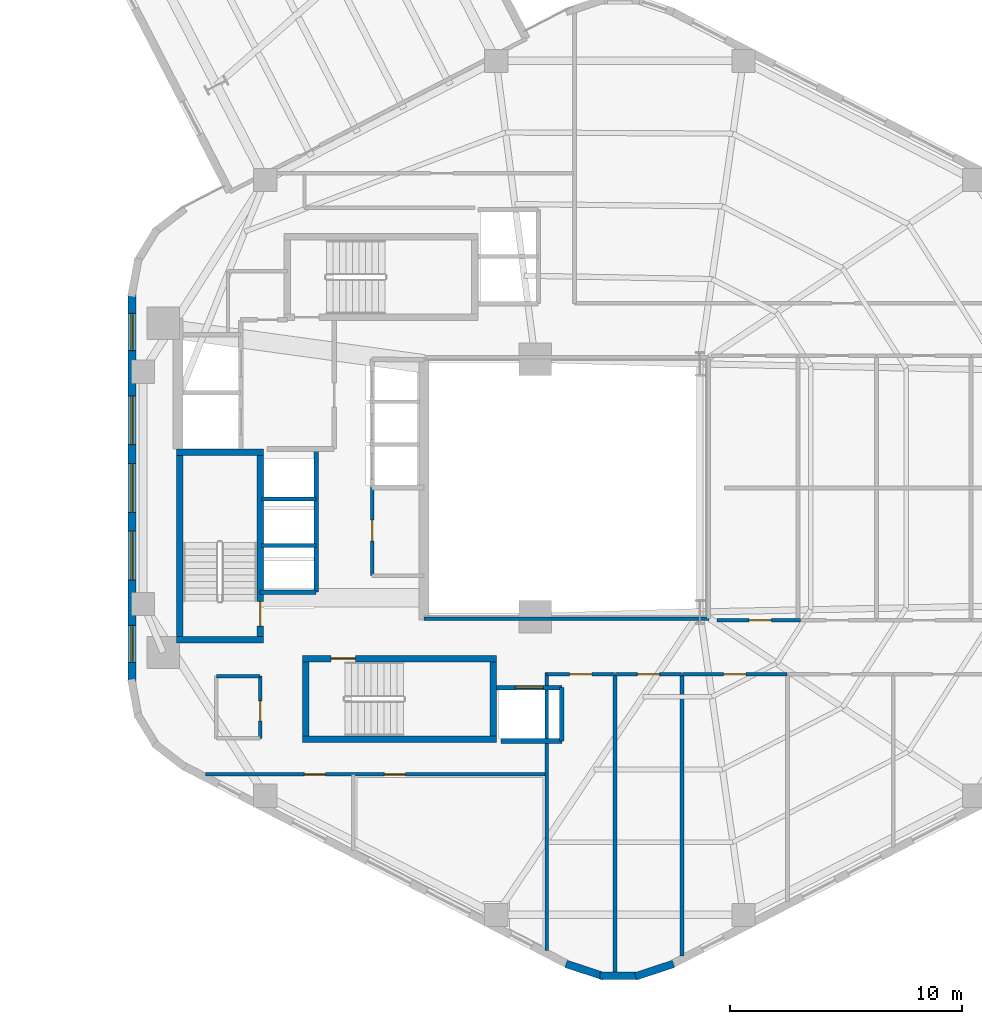
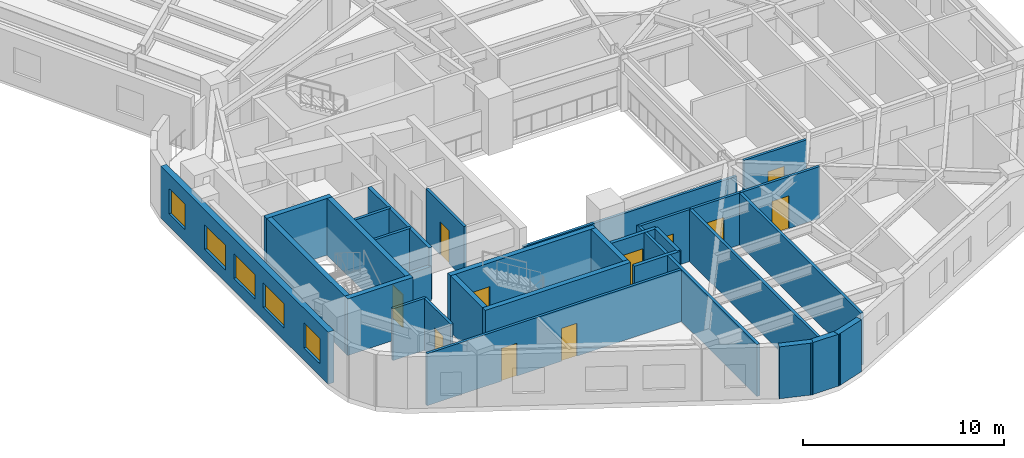
# One storey, part 6 of 10: 31 walls, 11 doors, 5 windows, 16 openings.
"""IFC4 building model written with IfcOpenShell, lengths in metres."""

from ifc_helpers import new_model, si_unit, direction, frame, frame_2d, origin, place, context, subcontext, project, spatial, rectangle, extrude, material, layer, layer_set, type_object, element, fill, save


model = new_model("IFC4")

# Units and contexts
model_context = context("Model", 3, precision=1e-05, world=origin(), true_north=direction((0.0, 1.0)))
body_context = subcontext(model_context, "Body", "Model", "MODEL_VIEW")
ifc_project = project(units=[si_unit("LENGTHUNIT", "METRE"), si_unit("AREAUNIT", "SQUARE_METRE"), si_unit("VOLUMEUNIT", "CUBIC_METRE"), si_unit("PLANEANGLEUNIT", "RADIAN"), si_unit("MASSUNIT", "GRAM", prefix="KILO"), si_unit("THERMODYNAMICTEMPERATUREUNIT", "KELVIN"), si_unit("POWERUNIT", "WATT")], contexts=[model_context])

# Site, building, storey
site_placement = place(None, origin())
site = spatial("IfcSite", under=ifc_project, at=site_placement, CompositionType="ELEMENT")
building_placement = place(site_placement, origin())
building = spatial("IfcBuilding", under=site, at=building_placement, Name="Skarre Station Tower", CompositionType="ELEMENT")
storey_placement = place(building_placement, frame((0.0, 0.0, 142.949951171875)))
storey = spatial("IfcBuildingStorey", under=building, at=storey_placement, Name="L38", CompositionType="ELEMENT", Elevation=142.949951171875)

# Wall, opening, door
ifc_material_1 = material(Name="Acoustic Steel-Stud Gypsum Partition", Category="steel")
ifc_layer_1 = layer(ifc_material_1, 0.14990234375, Name="Acoustic Steel-Stud Gypsum Partition")
ifc_layer_set_1 = layer_set([ifc_layer_1], Name="Acoustic Steel-Stud Gypsum Partition")
wall_type_1 = type_object("IfcWallType", Name="Fire-Rated Corridor Acoustic Partition 150", PredefinedType="PARTITIONING", material=ifc_layer_set_1)
wall_1_placement = place(storey_placement, frame((25.320068359375, 24.02001953125, 0.0), z_axis=(0.0, 0.0, 1.0), x_axis=(0.0, -1.0, 0.0)))
wall_1 = element("IfcWall", 1, at=wall_1_placement, inside=storey, type_object=wall_type_1, Name="L38 Interior Partition WL-PT-L38-RC1-W", PredefinedType="PARTITIONING", context=body_context, shape_type="SweptSolid", body=[
    extrude(rectangle(XDim=3.800048828125, YDim=0.14990234375, at=frame_2d((1.89990234375, 0.0))), origin(), (0.0, 0.0, 1.0), 3.16015625),
])
opening_1_placement = place(wall_1_placement, frame((1.39990234375, 0.0, 0.0)))
opening_1 = element("IfcOpeningElement", 2, at=opening_1_placement, cuts=wall_1, Name="Opening DR-SVC90", PredefinedType="OPENING", context=body_context, shape_type="SweptSolid", body=[
    extrude(rectangle(XDim=0.89990234375, YDim=2.0, at=frame_2d((0.449951171875, 1.0))), frame((0.0, 0.0849609375, 0.0), z_axis=(0.0, -1.0, 0.0), x_axis=(1.0, 0.0, 0.0)), (0.0, 0.0, 1.0), 0.169921875),
])
ifc_material_2 = material(Name="Powder-Coated Hollow-Metal Acoustic Fire Leaf", Category="steel")
door_type_1 = type_object("IfcDoorType", Name="Service & Riser Fire Door FD60 900x2100", OperationType="SINGLE_SWING_LEFT", PredefinedType="DOOR", material=ifc_material_2)
door_1_placement = place(opening_1_placement, origin())
door_1 = element("IfcDoor", 3, at=door_1_placement, inside=storey, type_object=door_type_1, Name="L38 Housekeeping Room Door", OperationType="SINGLE_SWING_LEFT", OverallHeight=2.0, OverallWidth=0.89990234375, PredefinedType="DOOR", context=body_context, shape_type="SweptSolid", body=[
    extrude(rectangle(XDim=0.89990234375, YDim=2.0, at=frame_2d((0.449951171875, 1.0))), frame((0.0, 0.02490234375, 0.0), z_axis=(0.0, -1.0, 0.0), x_axis=(1.0, 0.0, 0.0)), (0.0, 0.0, 1.0), 0.050048828125),
])
fill(opening_1, door_1)

# Wall
wall_2_placement = place(storey_placement, frame((18.60009765625, 15.8798828125, 0.0), z_axis=(0.0, 0.0, 1.0), x_axis=(1.0, 0.0, 0.0)))
element("IfcWall", 4, at=wall_2_placement, inside=storey, type_object=wall_type_1, Name="L38 Interior Partition WL-PT-L38-CSVC-N", PredefinedType="PARTITIONING", context=body_context, shape_type="SweptSolid", body=[
    extrude(rectangle(XDim=1.889892578125, YDim=0.14990234375, at=frame_2d((0.94482421875, 0.0))), origin(), (0.0, 0.0, 1.0), 3.16015625),
])

# Wall, opening, door
wall_3_placement = place(storey_placement, frame((20.489990234375, 13.199951171875, 0.0), z_axis=(0.0, 0.0, 1.0), x_axis=(0.0, 1.0, 0.0)))
wall_3 = element("IfcWall", 5, at=wall_3_placement, inside=storey, type_object=wall_type_1, Name="L38 Interior Partition WL-PT-L38-CSVC-E", PredefinedType="PARTITIONING", context=body_context, shape_type="SweptSolid", body=[
    extrude(rectangle(XDim=2.679931640625, YDim=0.14990234375, at=frame_2d((1.33984375, 0.0))), origin(), (0.0, 0.0, 1.0), 3.16015625),
])
opening_2_placement = place(wall_3_placement, frame((0.75, 0.0, 0.0)))
opening_2 = element("IfcOpeningElement", 6, at=opening_2_placement, cuts=wall_3, Name="Opening DR-SVC86", PredefinedType="OPENING", context=body_context, shape_type="SweptSolid", body=[
    extrude(rectangle(XDim=0.860107421875, YDim=2.0, at=frame_2d((0.43017578125, 1.0))), frame((0.0, 0.0849609375, 0.0), z_axis=(0.0, -1.0, 0.0), x_axis=(1.0, 0.0, 0.0)), (0.0, 0.0, 1.0), 0.169921875),
])
door_type_2 = type_object("IfcDoorType", Name="Compact Riser Fire Door FD60 860x2100", OperationType="SINGLE_SWING_LEFT", PredefinedType="DOOR", material=ifc_material_2)
door_2_placement = place(opening_2_placement, origin())
door_2 = element("IfcDoor", 7, at=door_2_placement, inside=storey, type_object=door_type_2, Name="L38 Supply Room Door", OperationType="SINGLE_SWING_LEFT", OverallHeight=2.0, OverallWidth=0.860107421875, PredefinedType="DOOR", context=body_context, shape_type="SweptSolid", body=[
    extrude(rectangle(XDim=0.860107421875, YDim=2.0, at=frame_2d((0.43017578125, 1.0))), frame((0.0, 0.02490234375, 0.0), z_axis=(0.0, -1.0, 0.0), x_axis=(1.0, 0.0, 0.0)), (0.0, 0.0, 1.0), 0.050048828125),
])
fill(opening_2, door_2)

# Wall
wall_4_placement = place(storey_placement, frame((27.550048828125, 18.360107421875, 0.0), z_axis=(0.0, 0.0, 1.0), x_axis=(1.0, 0.0, 0.0)))
element("IfcWall", 8, at=wall_4_placement, inside=storey, type_object=wall_type_1, Name="L38 Interior Partition WL-PT-L38-ATRW-S", PredefinedType="PARTITIONING", context=body_context, shape_type="SweptSolid", body=[
    extrude(rectangle(XDim=12.2900390625, YDim=0.14990234375, at=frame_2d((6.14501953125, 0.0))), origin(), (0.0, 0.0, 1.0), 2.301025390625),
])

# Wall, openings, doors
wall_5_placement = place(storey_placement, frame((18.1259765625, 11.639892578125, 0.0), z_axis=(0.0, 0.0, 1.0), x_axis=(1.0, 0.0, 0.0)))
wall_5 = element("IfcWall", 9, at=wall_5_placement, inside=storey, type_object=wall_type_1, Name="L38 Interior Partition WL-PT-L38-SWP-N", PredefinedType="PARTITIONING", context=body_context, shape_type="SweptSolid", body=[
    extrude(rectangle(XDim=14.72412109375, YDim=0.14990234375, at=frame_2d((7.362060546875, 0.0))), origin(), (0.0, 0.0, 1.0), 3.16015625),
])
opening_3_placement = place(wall_5_placement, frame((4.27392578125, 0.0, 0.0)))
opening_3 = element("IfcOpeningElement", 10, at=opening_3_placement, cuts=wall_5, Name="Opening DR-SVC90", PredefinedType="OPENING", context=body_context, shape_type="SweptSolid", body=[
    extrude(rectangle(XDim=0.89990234375, YDim=2.0, at=frame_2d((0.449951171875, 1.0))), frame((0.0, 0.0849609375, 0.0), z_axis=(0.0, -1.0, 0.0), x_axis=(1.0, 0.0, 0.0)), (0.0, 0.0, 1.0), 0.169921875),
])
opening_4_placement = place(wall_5_placement, frame((7.72412109375, 0.0, 0.0)))
opening_4 = element("IfcOpeningElement", 11, at=opening_4_placement, cuts=wall_5, Name="Opening DR-SVC90", PredefinedType="OPENING", context=body_context, shape_type="SweptSolid", body=[
    extrude(rectangle(XDim=0.89990234375, YDim=2.0, at=frame_2d((0.449951171875, 1.0))), frame((0.0, 0.0849609375, 0.0), z_axis=(0.0, -1.0, 0.0), x_axis=(1.0, 0.0, 0.0)), (0.0, 0.0, 1.0), 0.169921875),
])
door_3_placement = place(opening_3_placement, origin())
door_3 = element("IfcDoor", 12, at=door_3_placement, inside=storey, type_object=door_type_1, Name="L38 Floor Public Toilets Door", OperationType="SINGLE_SWING_LEFT", OverallHeight=2.0, OverallWidth=0.89990234375, PredefinedType="DOOR", context=body_context, shape_type="SweptSolid", body=[
    extrude(rectangle(XDim=0.89990234375, YDim=2.0, at=frame_2d((0.449951171875, 1.0))), frame((0.0, 0.02490234375, 0.0), z_axis=(0.0, -1.0, 0.0), x_axis=(1.0, 0.0, 0.0)), (0.0, 0.0, 1.0), 0.050048828125),
])
fill(opening_3, door_3)
door_4_placement = place(opening_4_placement, origin())
door_4 = element("IfcDoor", 13, at=door_4_placement, inside=storey, type_object=door_type_1, Name="L38 Housekeeping Room Door", OperationType="SINGLE_SWING_LEFT", OverallHeight=2.0, OverallWidth=0.89990234375, PredefinedType="DOOR", context=body_context, shape_type="SweptSolid", body=[
    extrude(rectangle(XDim=0.89990234375, YDim=2.0, at=frame_2d((0.449951171875, 1.0))), frame((0.0, 0.02490234375, 0.0), z_axis=(0.0, -1.0, 0.0), x_axis=(1.0, 0.0, 0.0)), (0.0, 0.0, 1.0), 0.050048828125),
])
fill(opening_4, door_4)

# Wall, opening, door
wall_6_placement = place(storey_placement, frame((43.802978515625, 18.2900390625, 0.0), z_axis=(0.0, 0.0, 1.0), x_axis=(-1.0, 0.0, 0.0)))
wall_6 = element("IfcWall", 14, at=wall_6_placement, inside=storey, type_object=wall_type_1, Name="L38 Interior Partition WL-PT-L38-EWS1-CW", PredefinedType="PARTITIONING", context=body_context, shape_type="SweptSolid", body=[
    extrude(rectangle(XDim=3.60302734375, YDim=0.14990234375, at=frame_2d((1.801513671875, 0.0))), origin(), (0.0, 0.0, 1.0), 3.16015625),
])
opening_5_placement = place(wall_6_placement, frame((1.263916015625, 0.0, 0.0)))
opening_5 = element("IfcOpeningElement", 15, at=opening_5_placement, cuts=wall_6, Name="Opening DR-FD60", PredefinedType="OPENING", context=body_context, shape_type="SweptSolid", body=[
    extrude(rectangle(XDim=0.9599609375, YDim=2.0, at=frame_2d((0.47998046875, 1.0))), frame((0.0, 0.0849609375, 0.0), z_axis=(0.0, -1.0, 0.0), x_axis=(1.0, 0.0, 0.0)), (0.0, 0.0, 1.0), 0.169921875),
])
ifc_material_3 = material(Name="Nordic White-Oak Veneer Solid-Core Fire Leaf", Category="wood")
door_type_3 = type_object("IfcDoorType", Name="Corridor Suite Entry Fire Door FD60 960x2150", OperationType="SINGLE_SWING_LEFT", PredefinedType="DOOR", material=ifc_material_3)
door_5_placement = place(opening_5_placement, origin())
door_5 = element("IfcDoor", 16, at=door_5_placement, inside=storey, type_object=door_type_3, Name="L38 EWS1 Entry Door", OperationType="SINGLE_SWING_LEFT", OverallHeight=2.0, OverallWidth=0.9599609375, PredefinedType="DOOR", context=body_context, shape_type="SweptSolid", body=[
    extrude(rectangle(XDim=0.9599609375, YDim=2.0, at=frame_2d((0.47998046875, 1.0))), frame((0.0, 0.02490234375, 0.0), z_axis=(0.0, -1.0, 0.0), x_axis=(1.0, 0.0, 0.0)), (0.0, 0.0, 1.0), 0.050048828125),
])
fill(opening_5, door_5)

wall_7_placement = place(storey_placement, frame((32.85009765625, 15.9599609375, 0.0), z_axis=(0.0, 0.0, 1.0), x_axis=(1.0, 0.0, 0.0)))
wall_7 = element("IfcWall", 17, at=wall_7_placement, inside=storey, type_object=wall_type_1, Name="L38 Interior Partition WL-PT-L38-SW1-CW", PredefinedType="PARTITIONING", context=body_context, shape_type="SweptSolid", body=[
    extrude(rectangle(XDim=2.931884765625, YDim=0.14990234375, at=frame_2d((1.4658203125, 0.0))), origin(), (0.0, 0.0, 1.0), 3.16015625),
])
opening_6_placement = place(wall_7_placement, frame((0.986083984375, 0.0, 0.0)))
opening_6 = element("IfcOpeningElement", 18, at=opening_6_placement, cuts=wall_7, Name="Opening DR-FD60", PredefinedType="OPENING", context=body_context, shape_type="SweptSolid", body=[
    extrude(rectangle(XDim=0.9599609375, YDim=2.0, at=frame_2d((0.47998046875, 1.0))), frame((0.0, 0.0849609375, 0.0), z_axis=(0.0, -1.0, 0.0), x_axis=(1.0, 0.0, 0.0)), (0.0, 0.0, 1.0), 0.169921875),
])
door_6_placement = place(opening_6_placement, origin())
door_6 = element("IfcDoor", 19, at=door_6_placement, inside=storey, type_object=door_type_3, Name="L38 SW1 Entry Door", OperationType="SINGLE_SWING_LEFT", OverallHeight=2.0, OverallWidth=0.9599609375, PredefinedType="DOOR", context=body_context, shape_type="SweptSolid", body=[
    extrude(rectangle(XDim=0.9599609375, YDim=2.0, at=frame_2d((0.47998046875, 1.0))), frame((0.0, 0.02490234375, 0.0), z_axis=(0.0, -1.0, 0.0), x_axis=(1.0, 0.0, 0.0)), (0.0, 0.0, 1.0), 0.050048828125),
])
fill(opening_6, door_6)

wall_8_placement = place(storey_placement, frame((35.818115234375, 15.9599609375, 0.0), z_axis=(0.0, 0.0, 1.0), x_axis=(1.0, 0.0, 0.0)))
wall_8 = element("IfcWall", 20, at=wall_8_placement, inside=storey, type_object=wall_type_1, Name="L38 Interior Partition WL-PT-L38-SW2-CW", PredefinedType="PARTITIONING", context=body_context, shape_type="SweptSolid", body=[
    extrude(rectangle(XDim=2.843994140625, YDim=0.14990234375, at=frame_2d((1.421875, 0.0))), origin(), (0.0, 0.0, 1.0), 3.16015625),
])
opening_7_placement = place(wall_8_placement, frame((0.94189453125, 0.0, 0.0)))
opening_7 = element("IfcOpeningElement", 21, at=opening_7_placement, cuts=wall_8, Name="Opening DR-FD60", PredefinedType="OPENING", context=body_context, shape_type="SweptSolid", body=[
    extrude(rectangle(XDim=0.9599609375, YDim=2.0, at=frame_2d((0.47998046875, 1.0))), frame((0.0, 0.0849609375, 0.0), z_axis=(0.0, -1.0, 0.0), x_axis=(1.0, 0.0, 0.0)), (0.0, 0.0, 1.0), 0.169921875),
])
door_7_placement = place(opening_7_placement, origin())
door_7 = element("IfcDoor", 22, at=door_7_placement, inside=storey, type_object=door_type_3, Name="L38 SW2 Entry Door", OperationType="SINGLE_SWING_LEFT", OverallHeight=2.0, OverallWidth=0.9599609375, PredefinedType="DOOR", context=body_context, shape_type="SweptSolid", body=[
    extrude(rectangle(XDim=0.9599609375, YDim=2.0, at=frame_2d((0.47998046875, 1.0))), frame((0.0, 0.02490234375, 0.0), z_axis=(0.0, -1.0, 0.0), x_axis=(1.0, 0.0, 0.0)), (0.0, 0.0, 1.0), 0.050048828125),
])
fill(opening_7, door_7)

wall_9_placement = place(storey_placement, frame((38.697998046875, 15.9599609375, 0.0), z_axis=(0.0, 0.0, 1.0), x_axis=(1.0, 0.0, 0.0)))
wall_9 = element("IfcWall", 23, at=wall_9_placement, inside=storey, type_object=wall_type_1, Name="L38 Interior Partition WL-PT-L38-SW3-CW", PredefinedType="PARTITIONING", context=body_context, shape_type="SweptSolid", body=[
    extrude(rectangle(XDim=4.52294921875, YDim=0.14990234375, at=frame_2d((2.261474609375, 0.0))), origin(), (0.0, 0.0, 1.0), 3.16015625),
])
opening_8_placement = place(wall_9_placement, frame((1.781982421875, 0.0, 0.0)))
opening_8 = element("IfcOpeningElement", 24, at=opening_8_placement, cuts=wall_9, Name="Opening DR-FD60", PredefinedType="OPENING", context=body_context, shape_type="SweptSolid", body=[
    extrude(rectangle(XDim=0.9599609375, YDim=2.0, at=frame_2d((0.47998046875, 1.0))), frame((0.0, 0.0849609375, 0.0), z_axis=(0.0, -1.0, 0.0), x_axis=(1.0, 0.0, 0.0)), (0.0, 0.0, 1.0), 0.169921875),
])
door_8_placement = place(opening_8_placement, origin())
door_8 = element("IfcDoor", 25, at=door_8_placement, inside=storey, type_object=door_type_3, Name="L38 SW3 Entry Door", OperationType="SINGLE_SWING_LEFT", OverallHeight=2.0, OverallWidth=0.9599609375, PredefinedType="DOOR", context=body_context, shape_type="SweptSolid", body=[
    extrude(rectangle(XDim=0.9599609375, YDim=2.0, at=frame_2d((0.47998046875, 1.0))), frame((0.0, 0.02490234375, 0.0), z_axis=(0.0, -1.0, 0.0), x_axis=(1.0, 0.0, 0.0)), (0.0, 0.0, 1.0), 0.050048828125),
])
fill(opening_8, door_8)

# Wall, openings, windows
ifc_material_4 = material(Name="Precast concrete C45/55", Category="concrete")
ifc_layer_2 = layer(ifc_material_4, 0.340087890625, Name="Precast concrete C45/55")
ifc_layer_set_2 = layer_set([ifc_layer_2], Name="Precast concrete C45/55")
wall_type_2 = type_object("IfcWallType", Name="Nordic Honed Precast Facet Wall 340", PredefinedType="STANDARD", material=ifc_layer_set_2)
wall_10_placement = place(storey_placement, frame((14.951904296875, 15.64794921875, 0.0), z_axis=(0.0, 0.0, 1.0), x_axis=(0.0, 1.0, 0.0)))
wall_10 = element("IfcWall", 26, at=wall_10_placement, inside=storey, type_object=wall_type_2, Name="L38 Facet 2 Nordic Precast Masonry Wall", PredefinedType="STANDARD", context=body_context, shape_type="SweptSolid", body=[
    extrude(rectangle(XDim=16.7041015625, YDim=0.340087890625, at=frame_2d((8.35205078125, 0.0))), origin(), (0.0, 0.0, 1.0), 3.16015625),
])
opening_9_placement = place(wall_10_placement, frame((0.825927734375, 0.0, 0.75)))
opening_9 = element("IfcOpeningElement", 27, at=opening_9_placement, cuts=wall_10, Name="Opening WN-Z2A", PredefinedType="OPENING", context=body_context, shape_type="SweptSolid", body=[
    extrude(rectangle(XDim=1.60009765625, YDim=1.550048828125, at=frame_2d((0.800048828125, 0.77490234375))), frame((0.0, 0.179931640625, 0.0), z_axis=(0.0, -1.0, 0.0), x_axis=(1.0, 0.0, 0.0)), (0.0, 0.0, 1.0), 0.360107421875),
])
opening_10_placement = place(wall_10_placement, frame((4.387939453125, 0.0, 0.75)))
opening_10 = element("IfcOpeningElement", 28, at=opening_10_placement, cuts=wall_10, Name="Opening WN-Z2B", PredefinedType="OPENING", context=body_context, shape_type="SweptSolid", body=[
    extrude(rectangle(XDim=2.10009765625, YDim=1.5, at=frame_2d((1.050048828125, 0.75))), frame((0.0, 0.179931640625, 0.0), z_axis=(0.0, -1.0, 0.0), x_axis=(1.0, 0.0, 0.0)), (0.0, 0.0, 1.0), 0.360107421875),
])
opening_11_placement = place(wall_10_placement, frame((7.302001953125, 0.0, 0.75)))
opening_11 = element("IfcOpeningElement", 29, at=opening_11_placement, cuts=wall_10, Name="Opening WN-Z2B", PredefinedType="OPENING", context=body_context, shape_type="SweptSolid", body=[
    extrude(rectangle(XDim=2.10009765625, YDim=1.5, at=frame_2d((1.050048828125, 0.75))), frame((0.0, 0.179931640625, 0.0), z_axis=(0.0, -1.0, 0.0), x_axis=(1.0, 0.0, 0.0)), (0.0, 0.0, 1.0), 0.360107421875),
])
opening_12_placement = place(wall_10_placement, frame((10.216064453125, 0.0, 0.75)))
opening_12 = element("IfcOpeningElement", 30, at=opening_12_placement, cuts=wall_10, Name="Opening WN-Z2B", PredefinedType="OPENING", context=body_context, shape_type="SweptSolid", body=[
    extrude(rectangle(XDim=2.10009765625, YDim=1.5, at=frame_2d((1.050048828125, 0.75))), frame((0.0, 0.179931640625, 0.0), z_axis=(0.0, -1.0, 0.0), x_axis=(1.0, 0.0, 0.0)), (0.0, 0.0, 1.0), 0.360107421875),
])
opening_13_placement = place(wall_10_placement, frame((14.278076171875, 0.0, 0.75)))
opening_13 = element("IfcOpeningElement", 31, at=opening_13_placement, cuts=wall_10, Name="Opening WN-Z2A", PredefinedType="OPENING", context=body_context, shape_type="SweptSolid", body=[
    extrude(rectangle(XDim=1.60009765625, YDim=1.550048828125, at=frame_2d((0.800048828125, 0.77490234375))), frame((0.0, 0.179931640625, 0.0), z_axis=(0.0, -1.0, 0.0), x_axis=(1.0, 0.0, 0.0)), (0.0, 0.0, 1.0), 0.360107421875),
])
ifc_material_5 = material(Name="Low-Iron Triple Glazing with Bronze Anodized Frame", Category="glass")
window_type_1 = type_object("IfcWindowType", Name="Nordic Residential Tall Window 1600x1550", PartitioningType="SINGLE_PANEL", PredefinedType="WINDOW", material=ifc_material_5)
window_1_placement = place(opening_9_placement, origin())
window_1 = element("IfcWindow", 32, at=window_1_placement, inside=storey, type_object=window_type_1, Name="L38 Facade Window WL-FAC-L38-F2-1", OverallHeight=1.550048828125, OverallWidth=1.60009765625, PartitioningType="SINGLE_PANEL", PredefinedType="WINDOW", context=body_context, shape_type="SweptSolid", body=[
    extrude(rectangle(XDim=1.60009765625, YDim=1.550048828125, at=frame_2d((0.800048828125, 0.77490234375))), frame((0.0, 0.030029296875, 0.0), z_axis=(0.0, -1.0, 0.0), x_axis=(1.0, 0.0, 0.0)), (0.0, 0.0, 1.0), 0.06005859375),
])
fill(opening_9, window_1)
window_2_placement = place(opening_13_placement, origin())
window_2 = element("IfcWindow", 33, at=window_2_placement, inside=storey, type_object=window_type_1, Name="L38 Facade Window WL-FAC-L38-F2-5", OverallHeight=1.550048828125, OverallWidth=1.60009765625, PartitioningType="SINGLE_PANEL", PredefinedType="WINDOW", context=body_context, shape_type="SweptSolid", body=[
    extrude(rectangle(XDim=1.60009765625, YDim=1.550048828125, at=frame_2d((0.800048828125, 0.77490234375))), frame((0.0, 0.030029296875, 0.0), z_axis=(0.0, -1.0, 0.0), x_axis=(1.0, 0.0, 0.0)), (0.0, 0.0, 1.0), 0.06005859375),
])
fill(opening_13, window_2)
window_type_2 = type_object("IfcWindowType", Name="Nordic Residential Twin Window 2100x1500", PartitioningType="SINGLE_PANEL", PredefinedType="WINDOW", material=ifc_material_5)
window_3_placement = place(opening_10_placement, origin())
window_3 = element("IfcWindow", 34, at=window_3_placement, inside=storey, type_object=window_type_2, Name="L38 Facade Window WL-FAC-L38-F2-2", OverallHeight=1.5, OverallWidth=2.10009765625, PartitioningType="SINGLE_PANEL", PredefinedType="WINDOW", context=body_context, shape_type="SweptSolid", body=[
    extrude(rectangle(XDim=2.10009765625, YDim=1.5, at=frame_2d((1.050048828125, 0.75))), frame((0.0, 0.030029296875, 0.0), z_axis=(0.0, -1.0, 0.0), x_axis=(1.0, 0.0, 0.0)), (0.0, 0.0, 1.0), 0.06005859375),
])
fill(opening_10, window_3)
window_4_placement = place(opening_11_placement, origin())
window_4 = element("IfcWindow", 35, at=window_4_placement, inside=storey, type_object=window_type_2, Name="L38 Facade Window WL-FAC-L38-F2-3", OverallHeight=1.5, OverallWidth=2.10009765625, PartitioningType="SINGLE_PANEL", PredefinedType="WINDOW", context=body_context, shape_type="SweptSolid", body=[
    extrude(rectangle(XDim=2.10009765625, YDim=1.5, at=frame_2d((1.050048828125, 0.75))), frame((0.0, 0.030029296875, 0.0), z_axis=(0.0, -1.0, 0.0), x_axis=(1.0, 0.0, 0.0)), (0.0, 0.0, 1.0), 0.06005859375),
])
fill(opening_11, window_4)
window_5_placement = place(opening_12_placement, origin())
window_5 = element("IfcWindow", 36, at=window_5_placement, inside=storey, type_object=window_type_2, Name="L38 Facade Window WL-FAC-L38-F2-4", OverallHeight=1.5, OverallWidth=2.10009765625, PartitioningType="SINGLE_PANEL", PredefinedType="WINDOW", context=body_context, shape_type="SweptSolid", body=[
    extrude(rectangle(XDim=2.10009765625, YDim=1.5, at=frame_2d((1.050048828125, 0.75))), frame((0.0, 0.030029296875, 0.0), z_axis=(0.0, -1.0, 0.0), x_axis=(1.0, 0.0, 0.0)), (0.0, 0.0, 1.0), 0.06005859375),
])
fill(opening_12, window_5)

# Walls
ifc_layer_3 = layer(ifc_material_4, 0.330078125, Name="Precast concrete C45/55")
ifc_layer_set_3 = layer_set([ifc_layer_3], Name="Precast concrete C45/55")
wall_type_3 = type_object("IfcWallType", Name="Nordic Rounded Corner Precast Wall 330", PredefinedType="STANDARD", material=ifc_layer_set_3)
for number, where, z_axis, x_axis, name in (
    (37, (38.319091796875, 3.468017578125, 0.0), (0.0, 0.0, 1.0), (-0.949937416267, -0.312440242569, 0.0), "L38 Rounded Corner Precast Wall F4-1"),
    (38, (36.861083984375, 2.958984375, 0.0), (0.0, 0.0, 1.0), (-1.0, 0.0, 0.0), "L38 Rounded Corner Precast Wall F4-2"),
    (39, (35.31689453125, 2.929931640625, 0.0), (0.0, 0.0, 1.0), (-0.949937416267, 0.312440242569, 0.0), "L38 Rounded Corner Precast Wall F4-3"),
):
    element("IfcWall", number, at=place(storey_placement, frame(where, z_axis=z_axis, x_axis=x_axis)), inside=storey, type_object=wall_type_3, Name=name, PredefinedType="STANDARD", context=body_context, shape_type="SweptSolid", body=[
        extrude(rectangle(XDim=1.72216796875, YDim=0.330078125, at=frame_2d((0.861083984375, 0.0))), origin(), (0.0, 0.0, 1.0), 3.16015625),
    ])
ifc_material_6 = material(Name="Concrete C50/60", Category="concrete")
ifc_layer_4 = layer(ifc_material_6, 0.280029296875, Name="Concrete C50/60")
ifc_layer_set_4 = layer_set([ifc_layer_4], Name="Concrete C50/60")
wall_type_4 = type_object("IfcWallType", Name="RC Core Shear Wall 280", PredefinedType="SHEAR", material=ifc_layer_set_4)
for number, where, z_axis, x_axis, name in (
    (40, (16.8701171875, 17.4599609375, 0.0), (0.0, 0.0, 1.0), (1.0, 0.0, 0.0), "L38 Stair ST-1 South Shear Wall"),
    (41, (20.6298828125, 25.5400390625, 0.0), (0.0, 0.0, 1.0), (-1.0, 0.0, 0.0), "L38 Stair ST-1 North Shear Wall"),
):
    element("IfcWall", number, at=place(storey_placement, frame(where, z_axis=z_axis, x_axis=x_axis)), inside=storey, type_object=wall_type_4, Name=name, PredefinedType="SHEAR", context=body_context, shape_type="SweptSolid", body=[
        extrude(rectangle(XDim=3.759765625, YDim=0.280029296875, at=frame_2d((1.8798828125, 0.0))), origin(), (0.0, 0.0, 1.0), 3.449951171875),
    ])
wall_11_placement = place(storey_placement, frame((17.010009765625, 25.39990234375, 0.0), z_axis=(0.0, 0.0, 1.0), x_axis=(0.0, -1.0, 0.0)))
element("IfcWall", 42, at=wall_11_placement, inside=storey, type_object=wall_type_4, Name="L38 Stair ST-1 West Shear Wall", PredefinedType="SHEAR", context=body_context, shape_type="SweptSolid", body=[
    extrude(rectangle(XDim=7.7998046875, YDim=0.280029296875, at=frame_2d((3.89990234375, 0.0))), origin(), (0.0, 0.0, 1.0), 3.449951171875),
])

# Wall, opening, door
wall_12_placement = place(storey_placement, frame((20.489990234375, 17.60009765625, 0.0), z_axis=(0.0, 0.0, 1.0), x_axis=(0.0, 1.0, 0.0)))
wall_12 = element("IfcWall", 43, at=wall_12_placement, inside=storey, type_object=wall_type_4, Name="L38 Stair ST-1 East Shear Wall", PredefinedType="SHEAR", context=body_context, shape_type="SweptSolid", body=[
    extrude(rectangle(XDim=7.7998046875, YDim=0.280029296875, at=frame_2d((3.89990234375, 0.0))), origin(), (0.0, 0.0, 1.0), 3.449951171875),
])
opening_14_placement = place(wall_12_placement, frame((0.43994140625, 0.0, 0.0)))
opening_14 = element("IfcOpeningElement", 44, at=opening_14_placement, cuts=wall_12, Name="Opening DR-FD90", PredefinedType="OPENING", context=body_context, shape_type="SweptSolid", body=[
    extrude(rectangle(XDim=1.050048828125, YDim=2.0, at=frame_2d((0.52490234375, 1.0))), frame((0.0, 0.14990234375, 0.0), z_axis=(0.0, -1.0, 0.0), x_axis=(1.0, 0.0, 0.0)), (0.0, 0.0, 1.0), 0.300048828125),
])
ifc_material_7 = material(Name="Fire-Rated Insulated Steel Frame & Timber Core Leaf", Category="steel")
door_type_4 = type_object("IfcDoorType", Name="Stair & FSAE Lobby Fire Door FD90 1050x2150", OperationType="SINGLE_SWING_RIGHT", PredefinedType="DOOR", material=ifc_material_7)
door_9_placement = place(opening_14_placement, origin())
door_9 = element("IfcDoor", 45, at=door_9_placement, inside=storey, type_object=door_type_4, Name="L38 Stair ST-1 Exit Door", OperationType="SINGLE_SWING_RIGHT", OverallHeight=2.0, OverallWidth=1.050048828125, PredefinedType="DOOR", context=body_context, shape_type="SweptSolid", body=[
    extrude(rectangle(XDim=1.050048828125, YDim=2.0, at=frame_2d((0.52490234375, 1.0))), frame((0.0, 0.02490234375, 0.0), z_axis=(0.0, -1.0, 0.0), x_axis=(1.0, 0.0, 0.0)), (0.0, 0.0, 1.0), 0.050048828125),
])
fill(opening_14, door_9)

# Wall
wall_13_placement = place(storey_placement, frame((22.320068359375, 13.159912109375, 0.0), z_axis=(0.0, 0.0, 1.0), x_axis=(1.0, 0.0, 0.0)))
element("IfcWall", 46, at=wall_13_placement, inside=storey, type_object=wall_type_4, Name="L38 Stair ST-2 South Shear Wall", PredefinedType="SHEAR", context=body_context, shape_type="SweptSolid", body=[
    extrude(rectangle(XDim=8.35986328125, YDim=0.280029296875, at=frame_2d((4.179931640625, 0.0))), origin(), (0.0, 0.0, 1.0), 3.449951171875),
])

# Wall, opening, door
wall_14_placement = place(storey_placement, frame((30.679931640625, 16.639892578125, 0.0), z_axis=(0.0, 0.0, 1.0), x_axis=(-1.0, 0.0, 0.0)))
wall_14 = element("IfcWall", 47, at=wall_14_placement, inside=storey, type_object=wall_type_4, Name="L38 Stair ST-2 North Shear Wall", PredefinedType="SHEAR", context=body_context, shape_type="SweptSolid", body=[
    extrude(rectangle(XDim=8.35986328125, YDim=0.280029296875, at=frame_2d((4.179931640625, 0.0))), origin(), (0.0, 0.0, 1.0), 3.449951171875),
])
opening_15_placement = place(wall_14_placement, frame((6.080078125, 0.0, 0.0)))
opening_15 = element("IfcOpeningElement", 48, at=opening_15_placement, cuts=wall_14, Name="Opening DR-FD90", PredefinedType="OPENING", context=body_context, shape_type="SweptSolid", body=[
    extrude(rectangle(XDim=1.050048828125, YDim=2.0, at=frame_2d((0.52490234375, 1.0))), frame((0.0, 0.14990234375, 0.0), z_axis=(0.0, -1.0, 0.0), x_axis=(1.0, 0.0, 0.0)), (0.0, 0.0, 1.0), 0.300048828125),
])
door_10_placement = place(opening_15_placement, origin())
door_10 = element("IfcDoor", 49, at=door_10_placement, inside=storey, type_object=door_type_4, Name="L38 Stair ST-2 Exit Door", OperationType="SINGLE_SWING_RIGHT", OverallHeight=2.0, OverallWidth=1.050048828125, PredefinedType="DOOR", context=body_context, shape_type="SweptSolid", body=[
    extrude(rectangle(XDim=1.050048828125, YDim=2.0, at=frame_2d((0.52490234375, 1.0))), frame((0.0, 0.02490234375, 0.0), z_axis=(0.0, -1.0, 0.0), x_axis=(1.0, 0.0, 0.0)), (0.0, 0.0, 1.0), 0.050048828125),
])
fill(opening_15, door_10)

# Walls
for number, where, z_axis, x_axis, name in (
    (50, (22.4599609375, 16.5, 0.0), (0.0, 0.0, 1.0), (0.0, -1.0, 0.0), "L38 Stair ST-2 West Shear Wall"),
    (51, (30.5400390625, 13.300048828125, 0.0), (0.0, 0.0, 1.0), (0.0, 1.0, 0.0), "L38 Stair ST-2 East Shear Wall"),
):
    element("IfcWall", number, at=place(storey_placement, frame(where, z_axis=z_axis, x_axis=x_axis)), inside=storey, type_object=wall_type_4, Name=name, PredefinedType="SHEAR", context=body_context, shape_type="SweptSolid", body=[
        extrude(rectangle(XDim=3.199951171875, YDim=0.280029296875, at=frame_2d((1.60009765625, 0.0))), origin(), (0.0, 0.0, 1.0), 3.449951171875),
    ])

# Wall, opening, door
ifc_material_8 = material(Name="Gypsum Concrete Shaft Assembly C30/37", Category="concrete")
ifc_layer_5 = layer(ifc_material_8, 0.199951171875, Name="Gypsum Concrete Shaft Assembly C30/37")
ifc_layer_set_5 = layer_set([ifc_layer_5], Name="Gypsum Concrete Shaft Assembly C30/37")
wall_type_5 = type_object("IfcWallType", Name="Shaft & Core Fire Partition 200", PredefinedType="PARTITIONING", material=ifc_layer_set_5)
wall_15_placement = place(storey_placement, frame((33.5, 15.3798828125, 0.0), z_axis=(0.0, 0.0, 1.0), x_axis=(-1.0, 0.0, 0.0)))
wall_15 = element("IfcWall", 52, at=wall_15_placement, inside=storey, type_object=wall_type_5, Name="L38 Interior Partition WL-PT-L38-SV1-N", PredefinedType="PARTITIONING", context=body_context, shape_type="SweptSolid", body=[
    extrude(rectangle(XDim=2.820068359375, YDim=0.199951171875, at=frame_2d((1.41015625, 0.0))), origin(), (0.0, 0.0, 1.0), 3.16015625),
])
opening_16_placement = place(wall_15_placement, frame((0.800048828125, 0.0, 0.0)))
opening_16 = element("IfcOpeningElement", 53, at=opening_16_placement, cuts=wall_15, Name="Opening LD-SV1", PredefinedType="OPENING", context=body_context, shape_type="SweptSolid", body=[
    extrude(rectangle(XDim=1.199951171875, YDim=2.199951171875, at=frame_2d((0.60009765625, 1.10009765625))), frame((0.0, 0.10986328125, 0.0), z_axis=(0.0, -1.0, 0.0), x_axis=(1.0, 0.0, 0.0)), (0.0, 0.0, 1.0), 0.219970703125),
])
ifc_material_9 = material(Name="Heavy-Gauge Brushed Stainless Steel Sliding Leaves", Category="steel")
door_type_5 = type_object("IfcDoorType", Name="Service Elevator Wide Sliding Landing Door 1200x2200", OperationType="SLIDING_TO_RIGHT", PredefinedType="DOOR", material=ifc_material_9)
door_11_placement = place(opening_16_placement, origin())
door_11 = element("IfcDoor", 54, at=door_11_placement, inside=storey, type_object=door_type_5, Name="L38 Service Lift LF-SV1 Landing Door", OperationType="SLIDING_TO_RIGHT", OverallHeight=2.199951171875, OverallWidth=1.199951171875, PredefinedType="DOOR", context=body_context, shape_type="SweptSolid", body=[
    extrude(rectangle(XDim=1.199951171875, YDim=2.199951171875, at=frame_2d((0.60009765625, 1.10009765625))), frame((0.0, 0.02490234375, 0.0), z_axis=(0.0, -1.0, 0.0), x_axis=(1.0, 0.0, 0.0)), (0.0, 0.0, 1.0), 0.050048828125),
])
fill(opening_16, door_11)

# Walls
wall_16_placement = place(storey_placement, frame((33.5, 13.080078125, 0.0), z_axis=(0.0, 0.0, 1.0), x_axis=(0.0, 1.0, 0.0)))
element("IfcWall", 55, at=wall_16_placement, inside=storey, type_object=wall_type_5, Name="L38 Interior Partition WL-PT-L38-SV1-E", PredefinedType="PARTITIONING", context=body_context, shape_type="SweptSolid", body=[
    extrude(rectangle(XDim=2.2998046875, YDim=0.199951171875, at=frame_2d((1.14990234375, 0.0))), origin(), (0.0, 0.0, 1.0), 3.16015625),
])
wall_17_placement = place(storey_placement, frame((30.87890625, 13.080078125, 0.0), z_axis=(0.0, 0.0, 1.0), x_axis=(1.0, 0.0, 0.0)))
element("IfcWall", 56, at=wall_17_placement, inside=storey, type_object=wall_type_5, Name="L38 Interior Partition WL-PT-L38-SV1-S", PredefinedType="PARTITIONING", context=body_context, shape_type="SweptSolid", body=[
    extrude(rectangle(XDim=2.62109375, YDim=0.199951171875, at=frame_2d((1.310546875, 0.0))), origin(), (0.0, 0.0, 1.0), 3.16015625),
])
wall_18_placement = place(storey_placement, frame((22.89990234375, 19.5, 0.0), z_axis=(0.0, 0.0, 1.0), x_axis=(0.0, 1.0, 0.0)))
element("IfcWall", 57, at=wall_18_placement, inside=storey, type_object=wall_type_5, Name="L38 Interior Partition WL-PT-L38-B3-E", PredefinedType="PARTITIONING", context=body_context, shape_type="SweptSolid", body=[
    extrude(rectangle(XDim=6.0849609375, YDim=0.199951171875, at=frame_2d((3.04248046875, 0.0))), origin(), (0.0, 0.0, 1.0), 3.16015625),
])
wall_19_placement = place(storey_placement, frame((20.489990234375, 19.5, 0.0), z_axis=(0.0, 0.0, 1.0), x_axis=(1.0, 0.0, 0.0)))
element("IfcWall", 58, at=wall_19_placement, inside=storey, type_object=wall_type_5, Name="L38 Interior Partition WL-PT-L38-B3-S", PredefinedType="PARTITIONING", context=body_context, shape_type="SweptSolid", body=[
    extrude(rectangle(XDim=2.409912109375, YDim=0.199951171875, at=frame_2d((1.205078125, 0.0))), origin(), (0.0, 0.0, 1.0), 2.06005859375),
])
for number, where, z_axis, x_axis, name in (
    (59, (20.550048828125, 21.52001953125, 0.0), (0.0, 0.0, 1.0), (1.0, 0.0, 0.0), "L38 Interior Partition WL-PT-L38-B3-D1"),
    (60, (20.550048828125, 23.52001953125, 0.0), (0.0, 0.0, 1.0), (1.0, 0.0, 0.0), "L38 Interior Partition WL-PT-L38-B3-D2"),
):
    element("IfcWall", number, at=place(storey_placement, frame(where, z_axis=z_axis, x_axis=x_axis)), inside=storey, type_object=wall_type_5, Name=name, PredefinedType="PARTITIONING", context=body_context, shape_type="SweptSolid", body=[
        extrude(rectangle(XDim=2.349853515625, YDim=0.159912109375, at=frame_2d((1.1748046875, 0.0))), origin(), (0.0, 0.0, 1.0), 3.16015625),
    ])
ifc_layer_6 = layer(ifc_material_1, 0.1650390625, Name="Acoustic Steel-Stud Gypsum Partition")
ifc_layer_set_6 = layer_set([ifc_layer_6], Name="Acoustic Steel-Stud Gypsum Partition")
wall_type_6 = type_object("IfcWallType", Name="Suite Demising Acoustic Partition 165", PredefinedType="PARTITIONING", material=ifc_layer_set_6)
wall_20_placement = place(storey_placement, frame((32.85009765625, 4.0400390625, 0.0), z_axis=(0.0, 0.0, 1.0), x_axis=(0.0, 1.0, 0.0)))
element("IfcWall", 61, at=wall_20_placement, inside=storey, type_object=wall_type_6, Name="L38 Interior Partition WL-PT-L38-SWP-E", PredefinedType="PARTITIONING", context=body_context, shape_type="SweptSolid", body=[
    extrude(rectangle(XDim=11.989990234375, YDim=0.1650390625, at=frame_2d((5.9951171875, 0.0))), origin(), (0.0, 0.0, 1.0), 3.16015625),
])
wall_21_placement = place(storey_placement, frame((35.800048828125, 3.083984375, 0.0), z_axis=(0.0, 0.0, 1.0), x_axis=(0.0, 1.0, 0.0)))
element("IfcWall", 62, at=wall_21_placement, inside=storey, type_object=wall_type_6, Name="L38 Interior Partition WL-PT-L38-SW-P1", PredefinedType="PARTITIONING", context=body_context, shape_type="SweptSolid", body=[
    extrude(rectangle(XDim=12.845947265625, YDim=0.1650390625, at=frame_2d((6.4228515625, 0.0))), origin(), (0.0, 0.0, 1.0), 3.16015625),
])
wall_22_placement = place(storey_placement, frame((38.679931640625, 3.80908203125, 0.0), z_axis=(0.0, 0.0, 1.0), x_axis=(0.0, 1.0, 0.0)))
element("IfcWall", 63, at=wall_22_placement, inside=storey, type_object=wall_type_6, Name="L38 Interior Partition WL-PT-L38-SW-P2", PredefinedType="PARTITIONING", context=body_context, shape_type="SweptSolid", body=[
    extrude(rectangle(XDim=12.120849609375, YDim=0.1650390625, at=frame_2d((6.060546875, 0.0))), origin(), (0.0, 0.0, 1.0), 3.16015625),
])

save(model, "model.ifc")
